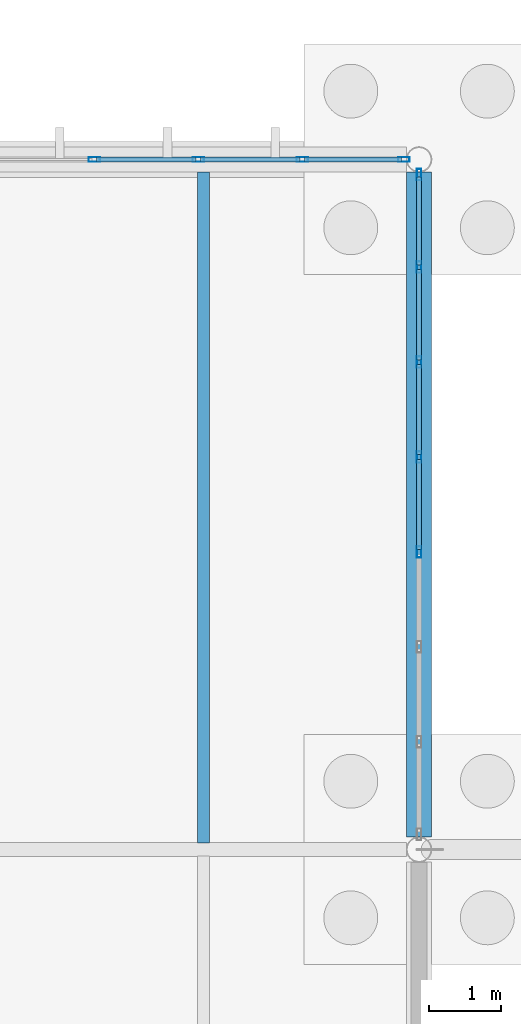
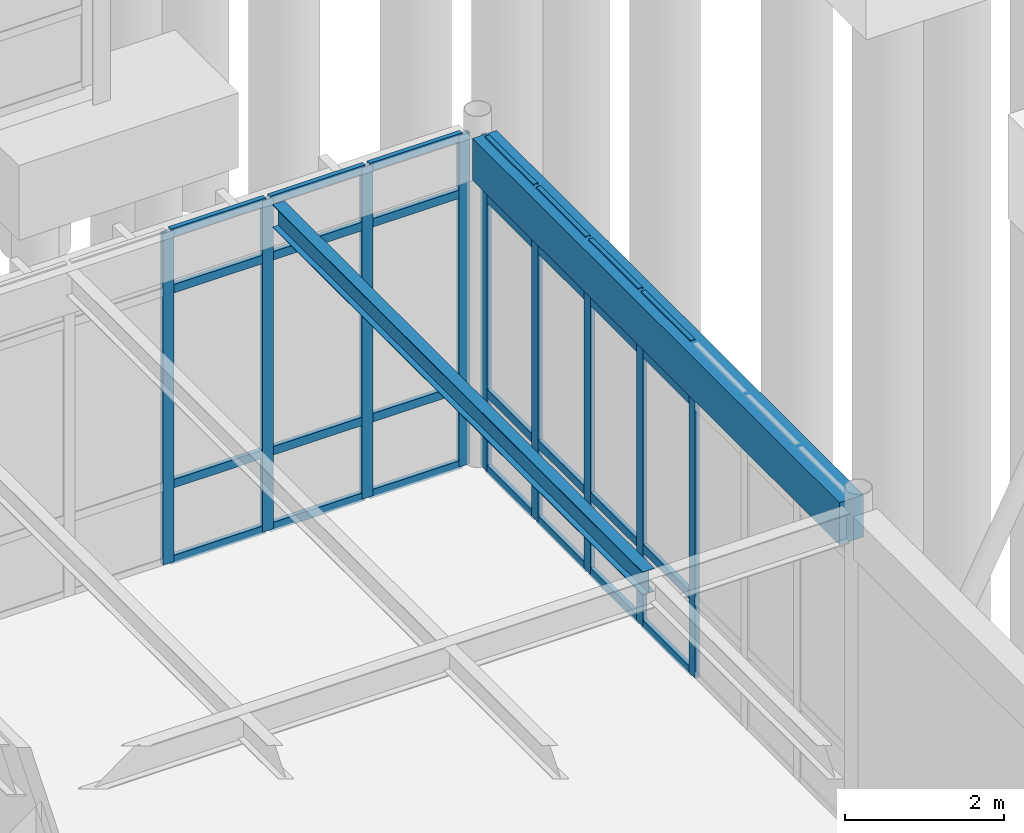
# One storey, part 34 of 188: 37 members, 2 beams, 2 elements without a shape of their own.
"""IFC4 building model written with IfcOpenShell, lengths in metres."""

from ifc_helpers import new_model, si_unit, direction, frame, origin, origin_2d, place, context, subcontext, project, spatial, rectangle, hollow_rectangle, i_section, extrude, material, layer, layer_set, material_profile, profile_set, type_object, element, aggregate, save


model = new_model("IFC4")

# Units and contexts
model_context = context("Model", 3, precision=1e-05, world=origin(), true_north=direction((0.0, 1.0)))
body_context = subcontext(model_context, "Body", "Model", "MODEL_VIEW")
ifc_project = project(units=[si_unit("LENGTHUNIT", "METRE"), si_unit("AREAUNIT", "SQUARE_METRE"), si_unit("VOLUMEUNIT", "CUBIC_METRE"), si_unit("PLANEANGLEUNIT", "RADIAN"), si_unit("MASSUNIT", "GRAM", prefix="KILO")], contexts=[model_context])

# Site, building, storey
site_placement = place(None, origin())
site = spatial("IfcSite", under=ifc_project, at=site_placement, CompositionType="ELEMENT")
building_placement = place(site_placement, origin())
building = spatial("IfcBuilding", under=site, at=building_placement, Name="Pandanus Reach Market Hall", CompositionType="ELEMENT")
storey_placement = place(building_placement, origin())
storey = spatial("IfcBuildingStorey", under=building, at=storey_placement, Name="L00", CompositionType="ELEMENT", Elevation=0.0)

# Beam
ifc_material_1 = material(Name="Concrete N40 (40 MPa)", Category="concrete")
ifc_material_profile_1 = material_profile(ifc_material_1, rectangle(XDim=0.35009765625, YDim=0.64990234375, at=origin_2d()), Name="RC350x650", Category="LoadBearing")
ifc_profile_set_1 = profile_set([ifc_material_profile_1], Name="Concrete N40 (40 MPa)")
beam_type_1 = type_object("IfcBeamType", Name="BM-RC350-E", PredefinedType="SPANDREL", material=ifc_profile_set_1)
beam_1_placement = place(storey_placement, frame((36.0, 19.375732421875, 4.784912109375), z_axis=(0.0, 1.0, 0.0), x_axis=(-1.0, 0.0, 0.0)))
element("IfcBeam", 1, at=beam_1_placement, inside=storey, type_object=beam_type_1, Name="Framing beam BM-RC350-E L00.944", PredefinedType="SPANDREL", context=body_context, shape_type="SweptSolid", body=[
    extrude(rectangle(XDim=0.35009765625, YDim=0.64990234375, at=origin_2d()), origin(), (0.0, 0.0, 1.0), 9.24853515625),
])

# Curtain wall, members
ifc_material_2 = material(Name="Bronze anodised aluminium and low-E glass", Category="aluminium")
ifc_layer_1 = layer(ifc_material_2, 0.159912109375, Name="CW-12")
ifc_layer_set_1 = layer_set([ifc_layer_1], Name="Bronze anodised aluminium and low-E glass")
curtain_wall_type_1 = type_object("IfcCurtainWallType", Name="CW-12", PredefinedType="NOTDEFINED", material=ifc_layer_set_1)
curtain_wall_1_placement = place(storey_placement, origin())
curtain_wall_1 = element("IfcCurtainWall", 2, at=curtain_wall_1_placement, inside=storey, type_object=curtain_wall_type_1, Name="Glazed curtain wall CW-12 CW-0050", PredefinedType="NOTDEFINED")
ifc_material_3 = material(Name="Bronze anodised aluminium", Category="aluminium")
ifc_material_profile_2 = material_profile(ifc_material_3, hollow_rectangle(XDim=0.06494140625, YDim=0.159912109375, WallThickness=0.00390625, at=origin_2d()), Name="ALU65x160", Category="LoadBearing")
ifc_profile_set_2 = profile_set([ifc_material_profile_2], Name="Bronze anodised aluminium")
member_type_1 = type_object("IfcMemberType", Name="CW-M1", PredefinedType="MULLION", material=ifc_profile_set_2)
member_1_placement = place(storey_placement, frame((31.482666015625, 28.800048828125, 0.0), z_axis=(0.0, 0.0, 1.0), x_axis=(0.0, 1.0, 0.0)))
member_1 = element("IfcMember", 3, at=member_1_placement, type_object=member_type_1, Name="CW-12 mullion 6", PredefinedType="MULLION", context=body_context, shape_type="SweptSolid", body=[
    extrude(hollow_rectangle(XDim=0.06494140625, YDim=0.159912109375, WallThickness=0.00390625, at=origin_2d()), origin(), (0.0, 0.0, 1.0), 5.10009765625),
])
member_2_placement = place(storey_placement, frame((32.92919921875, 28.800048828125, 0.0), z_axis=(0.0, 0.0, 1.0), x_axis=(0.0, 1.0, 0.0)))
member_2 = element("IfcMember", 4, at=member_2_placement, type_object=member_type_1, Name="CW-12 mullion 7", PredefinedType="MULLION", context=body_context, shape_type="SweptSolid", body=[
    extrude(hollow_rectangle(XDim=0.06494140625, YDim=0.159912109375, WallThickness=0.00390625, at=origin_2d()), origin(), (0.0, 0.0, 1.0), 5.10009765625),
])
member_3_placement = place(storey_placement, frame((34.375732421875, 28.800048828125, 0.0), z_axis=(0.0, 0.0, 1.0), x_axis=(0.0, 1.0, 0.0)))
member_3 = element("IfcMember", 5, at=member_3_placement, type_object=member_type_1, Name="CW-12 mullion 8", PredefinedType="MULLION", context=body_context, shape_type="SweptSolid", body=[
    extrude(hollow_rectangle(XDim=0.06494140625, YDim=0.159912109375, WallThickness=0.00390625, at=origin_2d()), origin(), (0.0, 0.0, 1.0), 5.10009765625),
])
member_4_placement = place(storey_placement, frame((35.789794921875, 28.800048828125, 0.0), z_axis=(0.0, 0.0, 1.0), x_axis=(0.0, 1.0, 0.0)))
member_4 = element("IfcMember", 6, at=member_4_placement, type_object=member_type_1, Name="CW-12 mullion 9", PredefinedType="MULLION", context=body_context, shape_type="SweptSolid", body=[
    extrude(hollow_rectangle(XDim=0.06494140625, YDim=0.159912109375, WallThickness=0.00390625, at=origin_2d()), origin(), (0.0, 0.0, 1.0), 5.10009765625),
])

ifc_layer_2 = layer(ifc_material_2, 0.159912109375, Name="CW-14")
ifc_layer_set_2 = layer_set([ifc_layer_2], Name="Bronze anodised aluminium and low-E glass")
curtain_wall_type_2 = type_object("IfcCurtainWallType", Name="CW-14", PredefinedType="NOTDEFINED", material=ifc_layer_set_2)
curtain_wall_2_placement = place(storey_placement, origin())
curtain_wall_2 = element("IfcCurtainWall", 7, at=curtain_wall_2_placement, inside=storey, type_object=curtain_wall_type_2, Name="Glazed curtain wall CW-14 CW-0053", PredefinedType="NOTDEFINED")
member_5_placement = place(storey_placement, frame((36.0, 23.339599609375, 0.0), z_axis=(0.0, 0.0, 1.0), x_axis=(-1.0, 0.0, 0.0)))
member_5 = element("IfcMember", 8, at=member_5_placement, type_object=member_type_1, Name="CW-14 mullion 4", PredefinedType="MULLION", context=body_context, shape_type="SweptSolid", body=[
    extrude(hollow_rectangle(XDim=0.06494140625, YDim=0.159912109375, WallThickness=0.00390625, at=origin_2d()), origin(), (0.0, 0.0, 1.0), 5.10009765625),
])
member_6_placement = place(storey_placement, frame((36.0, 24.660400390625, 0.0), z_axis=(0.0, 0.0, 1.0), x_axis=(-1.0, 0.0, 0.0)))
member_6 = element("IfcMember", 9, at=member_6_placement, type_object=member_type_1, Name="CW-14 mullion 5", PredefinedType="MULLION", context=body_context, shape_type="SweptSolid", body=[
    extrude(hollow_rectangle(XDim=0.06494140625, YDim=0.159912109375, WallThickness=0.00390625, at=origin_2d()), origin(), (0.0, 0.0, 1.0), 5.10009765625),
])
member_7_placement = place(storey_placement, frame((36.0, 25.98095703125, 0.0), z_axis=(0.0, 0.0, 1.0), x_axis=(-1.0, 0.0, 0.0)))
member_7 = element("IfcMember", 10, at=member_7_placement, type_object=member_type_1, Name="CW-14 mullion 6", PredefinedType="MULLION", context=body_context, shape_type="SweptSolid", body=[
    extrude(hollow_rectangle(XDim=0.06494140625, YDim=0.159912109375, WallThickness=0.00390625, at=origin_2d()), origin(), (0.0, 0.0, 1.0), 5.10009765625),
])
member_8_placement = place(storey_placement, frame((36.0, 27.301513671875, 0.0), z_axis=(0.0, 0.0, 1.0), x_axis=(-1.0, 0.0, 0.0)))
member_8 = element("IfcMember", 11, at=member_8_placement, type_object=member_type_1, Name="CW-14 mullion 7", PredefinedType="MULLION", context=body_context, shape_type="SweptSolid", body=[
    extrude(hollow_rectangle(XDim=0.06494140625, YDim=0.159912109375, WallThickness=0.00390625, at=origin_2d()), origin(), (0.0, 0.0, 1.0), 5.10009765625),
])
member_9_placement = place(storey_placement, frame((36.0, 28.589599609375, 0.0), z_axis=(0.0, 0.0, 1.0), x_axis=(-1.0, 0.0, 0.0)))
member_9 = element("IfcMember", 12, at=member_9_placement, type_object=member_type_1, Name="CW-14 mullion 8", PredefinedType="MULLION", context=body_context, shape_type="SweptSolid", body=[
    extrude(hollow_rectangle(XDim=0.06494140625, YDim=0.159912109375, WallThickness=0.00390625, at=origin_2d()), origin(), (0.0, 0.0, 1.0), 5.10009765625),
])

# Member
ifc_material_profile_3 = material_profile(ifc_material_3, hollow_rectangle(XDim=0.06494140625, YDim=0.1298828125, WallThickness=0.00390625, at=origin_2d()), Name="ALU65x130", Category="LoadBearing")
ifc_profile_set_3 = profile_set([ifc_material_profile_3], Name="Bronze anodised aluminium")
member_type_2 = type_object("IfcMemberType", Name="CW-T1", PredefinedType="USERDEFINED", material=ifc_profile_set_3)
member_10_placement = place(storey_placement, frame((31.51513671875, 28.800048828125, 0.032470703125), z_axis=(1.0, 0.0, 0.0), x_axis=(0.0, 1.0, 0.0)))
member_10 = element("IfcMember", 13, at=member_10_placement, type_object=member_type_2, Name="CW-12 transom 6.1", ObjectType="TRANSOM", PredefinedType="USERDEFINED", context=body_context, shape_type="SweptSolid", body=[
    extrude(hollow_rectangle(XDim=0.06494140625, YDim=0.1298828125, WallThickness=0.00390625, at=origin_2d()), origin(), (0.0, 0.0, 1.0), 1.381591796875),
])

member_11_placement = place(storey_placement, frame((31.51513671875, 28.800048828125, 1.199951171875), z_axis=(1.0, 0.0, 0.0), x_axis=(0.0, 1.0, 0.0)))
member_11 = element("IfcMember", 14, at=member_11_placement, type_object=member_type_2, Name="CW-12 transom 6.2", ObjectType="TRANSOM", PredefinedType="USERDEFINED", context=body_context, shape_type="SweptSolid", body=[
    extrude(hollow_rectangle(XDim=0.06494140625, YDim=0.1298828125, WallThickness=0.00390625, at=origin_2d()), origin(), (0.0, 0.0, 1.0), 1.381591796875),
])

member_12_placement = place(storey_placement, frame((31.51513671875, 28.800048828125, 4.199951171875), z_axis=(1.0, 0.0, 0.0), x_axis=(0.0, 1.0, 0.0)))
member_12 = element("IfcMember", 15, at=member_12_placement, type_object=member_type_2, Name="CW-12 transom 6.3", ObjectType="TRANSOM", PredefinedType="USERDEFINED", context=body_context, shape_type="SweptSolid", body=[
    extrude(hollow_rectangle(XDim=0.06494140625, YDim=0.1298828125, WallThickness=0.00390625, at=origin_2d()), origin(), (0.0, 0.0, 1.0), 1.381591796875),
])

member_13_placement = place(storey_placement, frame((31.51513671875, 28.800048828125, 5.0673828125), z_axis=(1.0, 0.0, 0.0), x_axis=(0.0, 1.0, 0.0)))
member_13 = element("IfcMember", 16, at=member_13_placement, type_object=member_type_2, Name="CW-12 transom 6.4", ObjectType="TRANSOM", PredefinedType="USERDEFINED", context=body_context, shape_type="SweptSolid", body=[
    extrude(hollow_rectangle(XDim=0.06494140625, YDim=0.1298828125, WallThickness=0.00390625, at=origin_2d()), origin(), (0.0, 0.0, 1.0), 1.381591796875),
])

member_14_placement = place(storey_placement, frame((32.961669921875, 28.800048828125, 0.032470703125), z_axis=(1.0, 0.0, 0.0), x_axis=(0.0, 1.0, 0.0)))
member_14 = element("IfcMember", 17, at=member_14_placement, type_object=member_type_2, Name="CW-12 transom 7.1", ObjectType="TRANSOM", PredefinedType="USERDEFINED", context=body_context, shape_type="SweptSolid", body=[
    extrude(hollow_rectangle(XDim=0.06494140625, YDim=0.1298828125, WallThickness=0.00390625, at=origin_2d()), origin(), (0.0, 0.0, 1.0), 1.381591796875),
])

member_15_placement = place(storey_placement, frame((32.961669921875, 28.800048828125, 1.199951171875), z_axis=(1.0, 0.0, 0.0), x_axis=(0.0, 1.0, 0.0)))
member_15 = element("IfcMember", 18, at=member_15_placement, type_object=member_type_2, Name="CW-12 transom 7.2", ObjectType="TRANSOM", PredefinedType="USERDEFINED", context=body_context, shape_type="SweptSolid", body=[
    extrude(hollow_rectangle(XDim=0.06494140625, YDim=0.1298828125, WallThickness=0.00390625, at=origin_2d()), origin(), (0.0, 0.0, 1.0), 1.381591796875),
])

member_16_placement = place(storey_placement, frame((32.961669921875, 28.800048828125, 4.199951171875), z_axis=(1.0, 0.0, 0.0), x_axis=(0.0, 1.0, 0.0)))
member_16 = element("IfcMember", 19, at=member_16_placement, type_object=member_type_2, Name="CW-12 transom 7.3", ObjectType="TRANSOM", PredefinedType="USERDEFINED", context=body_context, shape_type="SweptSolid", body=[
    extrude(hollow_rectangle(XDim=0.06494140625, YDim=0.1298828125, WallThickness=0.00390625, at=origin_2d()), origin(), (0.0, 0.0, 1.0), 1.381591796875),
])

member_17_placement = place(storey_placement, frame((32.961669921875, 28.800048828125, 5.0673828125), z_axis=(1.0, 0.0, 0.0), x_axis=(0.0, 1.0, 0.0)))
member_17 = element("IfcMember", 20, at=member_17_placement, type_object=member_type_2, Name="CW-12 transom 7.4", ObjectType="TRANSOM", PredefinedType="USERDEFINED", context=body_context, shape_type="SweptSolid", body=[
    extrude(hollow_rectangle(XDim=0.06494140625, YDim=0.1298828125, WallThickness=0.00390625, at=origin_2d()), origin(), (0.0, 0.0, 1.0), 1.381591796875),
])

member_18_placement = place(storey_placement, frame((34.408203125, 28.800048828125, 0.032470703125), z_axis=(1.0, 0.0, 0.0), x_axis=(0.0, 1.0, 0.0)))
member_18 = element("IfcMember", 21, at=member_18_placement, type_object=member_type_2, Name="CW-12 transom 8.1", ObjectType="TRANSOM", PredefinedType="USERDEFINED", context=body_context, shape_type="SweptSolid", body=[
    extrude(hollow_rectangle(XDim=0.06494140625, YDim=0.1298828125, WallThickness=0.00390625, at=origin_2d()), origin(), (0.0, 0.0, 1.0), 1.348876953125),
])

member_19_placement = place(storey_placement, frame((34.408203125, 28.800048828125, 1.199951171875), z_axis=(1.0, 0.0, 0.0), x_axis=(0.0, 1.0, 0.0)))
member_19 = element("IfcMember", 22, at=member_19_placement, type_object=member_type_2, Name="CW-12 transom 8.2", ObjectType="TRANSOM", PredefinedType="USERDEFINED", context=body_context, shape_type="SweptSolid", body=[
    extrude(hollow_rectangle(XDim=0.06494140625, YDim=0.1298828125, WallThickness=0.00390625, at=origin_2d()), origin(), (0.0, 0.0, 1.0), 1.348876953125),
])

member_20_placement = place(storey_placement, frame((34.408203125, 28.800048828125, 4.199951171875), z_axis=(1.0, 0.0, 0.0), x_axis=(0.0, 1.0, 0.0)))
member_20 = element("IfcMember", 23, at=member_20_placement, type_object=member_type_2, Name="CW-12 transom 8.3", ObjectType="TRANSOM", PredefinedType="USERDEFINED", context=body_context, shape_type="SweptSolid", body=[
    extrude(hollow_rectangle(XDim=0.06494140625, YDim=0.1298828125, WallThickness=0.00390625, at=origin_2d()), origin(), (0.0, 0.0, 1.0), 1.348876953125),
])

member_21_placement = place(storey_placement, frame((34.408203125, 28.800048828125, 5.0673828125), z_axis=(1.0, 0.0, 0.0), x_axis=(0.0, 1.0, 0.0)))
member_21 = element("IfcMember", 24, at=member_21_placement, type_object=member_type_2, Name="CW-12 transom 8.4", ObjectType="TRANSOM", PredefinedType="USERDEFINED", context=body_context, shape_type="SweptSolid", body=[
    extrude(hollow_rectangle(XDim=0.06494140625, YDim=0.1298828125, WallThickness=0.00390625, at=origin_2d()), origin(), (0.0, 0.0, 1.0), 1.348876953125),
])

aggregate(curtain_wall_1, [member_1, member_2, member_3, member_4, member_10, member_11, member_12, member_13, member_14, member_15, member_16, member_17, member_18, member_19, member_20, member_21])

member_22_placement = place(storey_placement, frame((36.0, 23.3720703125, 0.032470703125), z_axis=(0.0, 1.0, 0.0), x_axis=(-1.0, 0.0, 0.0)))
member_22 = element("IfcMember", 25, at=member_22_placement, type_object=member_type_2, Name="CW-14 transom 4.1", ObjectType="TRANSOM", PredefinedType="USERDEFINED", context=body_context, shape_type="SweptSolid", body=[
    extrude(hollow_rectangle(XDim=0.06494140625, YDim=0.1298828125, WallThickness=0.00390625, at=origin_2d()), origin(), (0.0, 0.0, 1.0), 1.255859375),
])

member_23_placement = place(storey_placement, frame((36.0, 23.3720703125, 1.199951171875), z_axis=(0.0, 1.0, 0.0), x_axis=(-1.0, 0.0, 0.0)))
member_23 = element("IfcMember", 26, at=member_23_placement, type_object=member_type_2, Name="CW-14 transom 4.2", ObjectType="TRANSOM", PredefinedType="USERDEFINED", context=body_context, shape_type="SweptSolid", body=[
    extrude(hollow_rectangle(XDim=0.06494140625, YDim=0.1298828125, WallThickness=0.00390625, at=origin_2d()), origin(), (0.0, 0.0, 1.0), 1.255859375),
])

member_24_placement = place(storey_placement, frame((36.0, 23.3720703125, 4.199951171875), z_axis=(0.0, 1.0, 0.0), x_axis=(-1.0, 0.0, 0.0)))
member_24 = element("IfcMember", 27, at=member_24_placement, type_object=member_type_2, Name="CW-14 transom 4.3", ObjectType="TRANSOM", PredefinedType="USERDEFINED", context=body_context, shape_type="SweptSolid", body=[
    extrude(hollow_rectangle(XDim=0.06494140625, YDim=0.1298828125, WallThickness=0.00390625, at=origin_2d()), origin(), (0.0, 0.0, 1.0), 1.255859375),
])

member_25_placement = place(storey_placement, frame((36.0, 23.3720703125, 5.0673828125), z_axis=(0.0, 1.0, 0.0), x_axis=(-1.0, 0.0, 0.0)))
member_25 = element("IfcMember", 28, at=member_25_placement, type_object=member_type_2, Name="CW-14 transom 4.4", ObjectType="TRANSOM", PredefinedType="USERDEFINED", context=body_context, shape_type="SweptSolid", body=[
    extrude(hollow_rectangle(XDim=0.06494140625, YDim=0.1298828125, WallThickness=0.00390625, at=origin_2d()), origin(), (0.0, 0.0, 1.0), 1.255859375),
])

member_26_placement = place(storey_placement, frame((36.0, 24.69287109375, 0.032470703125), z_axis=(0.0, 1.0, 0.0), x_axis=(-1.0, 0.0, 0.0)))
member_26 = element("IfcMember", 29, at=member_26_placement, type_object=member_type_2, Name="CW-14 transom 5.1", ObjectType="TRANSOM", PredefinedType="USERDEFINED", context=body_context, shape_type="SweptSolid", body=[
    extrude(hollow_rectangle(XDim=0.06494140625, YDim=0.1298828125, WallThickness=0.00390625, at=origin_2d()), origin(), (0.0, 0.0, 1.0), 1.255615234375),
])

member_27_placement = place(storey_placement, frame((36.0, 24.69287109375, 1.199951171875), z_axis=(0.0, 1.0, 0.0), x_axis=(-1.0, 0.0, 0.0)))
member_27 = element("IfcMember", 30, at=member_27_placement, type_object=member_type_2, Name="CW-14 transom 5.2", ObjectType="TRANSOM", PredefinedType="USERDEFINED", context=body_context, shape_type="SweptSolid", body=[
    extrude(hollow_rectangle(XDim=0.06494140625, YDim=0.1298828125, WallThickness=0.00390625, at=origin_2d()), origin(), (0.0, 0.0, 1.0), 1.255615234375),
])

member_28_placement = place(storey_placement, frame((36.0, 24.69287109375, 4.199951171875), z_axis=(0.0, 1.0, 0.0), x_axis=(-1.0, 0.0, 0.0)))
member_28 = element("IfcMember", 31, at=member_28_placement, type_object=member_type_2, Name="CW-14 transom 5.3", ObjectType="TRANSOM", PredefinedType="USERDEFINED", context=body_context, shape_type="SweptSolid", body=[
    extrude(hollow_rectangle(XDim=0.06494140625, YDim=0.1298828125, WallThickness=0.00390625, at=origin_2d()), origin(), (0.0, 0.0, 1.0), 1.255615234375),
])

member_29_placement = place(storey_placement, frame((36.0, 24.69287109375, 5.0673828125), z_axis=(0.0, 1.0, 0.0), x_axis=(-1.0, 0.0, 0.0)))
member_29 = element("IfcMember", 32, at=member_29_placement, type_object=member_type_2, Name="CW-14 transom 5.4", ObjectType="TRANSOM", PredefinedType="USERDEFINED", context=body_context, shape_type="SweptSolid", body=[
    extrude(hollow_rectangle(XDim=0.06494140625, YDim=0.1298828125, WallThickness=0.00390625, at=origin_2d()), origin(), (0.0, 0.0, 1.0), 1.255615234375),
])

member_30_placement = place(storey_placement, frame((36.0, 26.013427734375, 0.032470703125), z_axis=(0.0, 1.0, 0.0), x_axis=(-1.0, 0.0, 0.0)))
member_30 = element("IfcMember", 33, at=member_30_placement, type_object=member_type_2, Name="CW-14 transom 6.1", ObjectType="TRANSOM", PredefinedType="USERDEFINED", context=body_context, shape_type="SweptSolid", body=[
    extrude(hollow_rectangle(XDim=0.06494140625, YDim=0.1298828125, WallThickness=0.00390625, at=origin_2d()), origin(), (0.0, 0.0, 1.0), 1.255615234375),
])

member_31_placement = place(storey_placement, frame((36.0, 26.013427734375, 1.199951171875), z_axis=(0.0, 1.0, 0.0), x_axis=(-1.0, 0.0, 0.0)))
member_31 = element("IfcMember", 34, at=member_31_placement, type_object=member_type_2, Name="CW-14 transom 6.2", ObjectType="TRANSOM", PredefinedType="USERDEFINED", context=body_context, shape_type="SweptSolid", body=[
    extrude(hollow_rectangle(XDim=0.06494140625, YDim=0.1298828125, WallThickness=0.00390625, at=origin_2d()), origin(), (0.0, 0.0, 1.0), 1.255615234375),
])

member_32_placement = place(storey_placement, frame((36.0, 26.013427734375, 4.199951171875), z_axis=(0.0, 1.0, 0.0), x_axis=(-1.0, 0.0, 0.0)))
member_32 = element("IfcMember", 35, at=member_32_placement, type_object=member_type_2, Name="CW-14 transom 6.3", ObjectType="TRANSOM", PredefinedType="USERDEFINED", context=body_context, shape_type="SweptSolid", body=[
    extrude(hollow_rectangle(XDim=0.06494140625, YDim=0.1298828125, WallThickness=0.00390625, at=origin_2d()), origin(), (0.0, 0.0, 1.0), 1.255615234375),
])

member_33_placement = place(storey_placement, frame((36.0, 26.013427734375, 5.0673828125), z_axis=(0.0, 1.0, 0.0), x_axis=(-1.0, 0.0, 0.0)))
member_33 = element("IfcMember", 36, at=member_33_placement, type_object=member_type_2, Name="CW-14 transom 6.4", ObjectType="TRANSOM", PredefinedType="USERDEFINED", context=body_context, shape_type="SweptSolid", body=[
    extrude(hollow_rectangle(XDim=0.06494140625, YDim=0.1298828125, WallThickness=0.00390625, at=origin_2d()), origin(), (0.0, 0.0, 1.0), 1.255615234375),
])

member_34_placement = place(storey_placement, frame((36.0, 27.333984375, 0.032470703125), z_axis=(0.0, 1.0, 0.0), x_axis=(-1.0, 0.0, 0.0)))
member_34 = element("IfcMember", 37, at=member_34_placement, type_object=member_type_2, Name="CW-14 transom 7.1", ObjectType="TRANSOM", PredefinedType="USERDEFINED", context=body_context, shape_type="SweptSolid", body=[
    extrude(hollow_rectangle(XDim=0.06494140625, YDim=0.1298828125, WallThickness=0.00390625, at=origin_2d()), origin(), (0.0, 0.0, 1.0), 1.22314453125),
])

member_35_placement = place(storey_placement, frame((36.0, 27.333984375, 1.199951171875), z_axis=(0.0, 1.0, 0.0), x_axis=(-1.0, 0.0, 0.0)))
member_35 = element("IfcMember", 38, at=member_35_placement, type_object=member_type_2, Name="CW-14 transom 7.2", ObjectType="TRANSOM", PredefinedType="USERDEFINED", context=body_context, shape_type="SweptSolid", body=[
    extrude(hollow_rectangle(XDim=0.06494140625, YDim=0.1298828125, WallThickness=0.00390625, at=origin_2d()), origin(), (0.0, 0.0, 1.0), 1.22314453125),
])

member_36_placement = place(storey_placement, frame((36.0, 27.333984375, 4.199951171875), z_axis=(0.0, 1.0, 0.0), x_axis=(-1.0, 0.0, 0.0)))
member_36 = element("IfcMember", 39, at=member_36_placement, type_object=member_type_2, Name="CW-14 transom 7.3", ObjectType="TRANSOM", PredefinedType="USERDEFINED", context=body_context, shape_type="SweptSolid", body=[
    extrude(hollow_rectangle(XDim=0.06494140625, YDim=0.1298828125, WallThickness=0.00390625, at=origin_2d()), origin(), (0.0, 0.0, 1.0), 1.22314453125),
])

member_37_placement = place(storey_placement, frame((36.0, 27.333984375, 5.0673828125), z_axis=(0.0, 1.0, 0.0), x_axis=(-1.0, 0.0, 0.0)))
member_37 = element("IfcMember", 40, at=member_37_placement, type_object=member_type_2, Name="CW-14 transom 7.4", ObjectType="TRANSOM", PredefinedType="USERDEFINED", context=body_context, shape_type="SweptSolid", body=[
    extrude(hollow_rectangle(XDim=0.06494140625, YDim=0.1298828125, WallThickness=0.00390625, at=origin_2d()), origin(), (0.0, 0.0, 1.0), 1.22314453125),
])

aggregate(curtain_wall_2, [member_5, member_6, member_7, member_8, member_9, member_22, member_23, member_24, member_25, member_26, member_27, member_28, member_29, member_30, member_31, member_32, member_33, member_34, member_35, member_36, member_37])

# Beam
ifc_material_4 = material(Name="Steel Grade 350 (350 MPa)", Category="steel")
ifc_material_profile_4 = material_profile(ifc_material_4, i_section(OverallWidth=0.1708984375, OverallDepth=0.35595703125, WebThickness=0.00732421875, FlangeThickness=0.011474609375, at=origin_2d()), Name="360UB50.7", Category="LoadBearing")
ifc_profile_set_4 = profile_set([ifc_material_profile_4], Name="Steel Grade 350 (350 MPa)")
beam_type_2 = type_object("IfcBeamType", Name="JS-UB360-I", PredefinedType="JOIST", material=ifc_profile_set_4)
beam_2_placement = place(storey_placement, frame((33.0, 19.29296875, 4.931640625), z_axis=(0.0, 1.0, 0.0), x_axis=(-1.0, 0.0, 0.0)))
element("IfcBeam", 41, at=beam_2_placement, inside=storey, type_object=beam_type_2, Name="Secondary joist JS-UB360-I L00.965", PredefinedType="JOIST", context=body_context, shape_type="SweptSolid", body=[
    extrude(i_section(OverallWidth=0.1708984375, OverallDepth=0.35595703125, WebThickness=0.00732421875, FlangeThickness=0.011474609375, at=origin_2d()), origin(), (0.0, 0.0, 1.0), 9.333984375),
])

save(model, "model.ifc")
